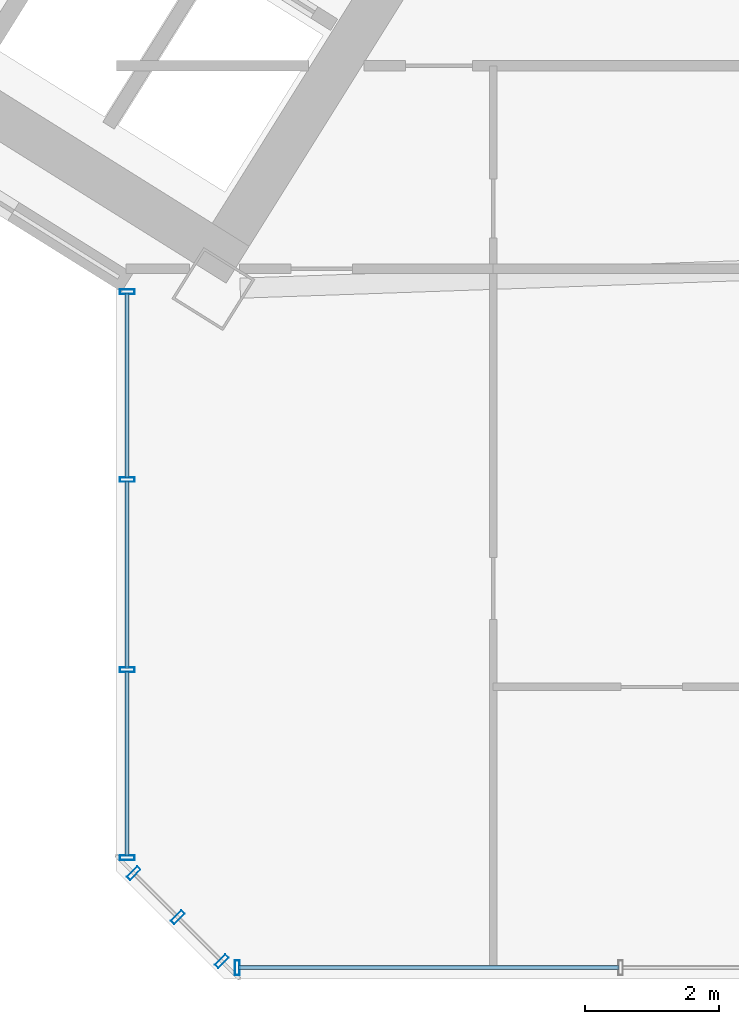
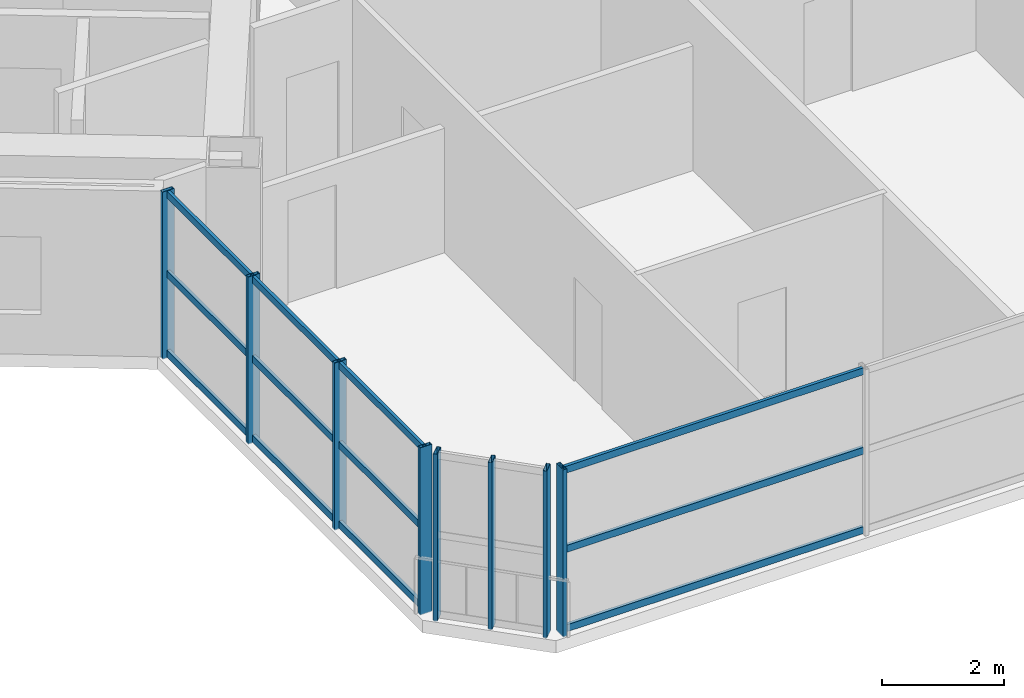
# One storey, part 4 of 22: 20 members, 3 elements without a shape of their own.
"""IFC4 building model written with IfcOpenShell, lengths in metres."""

from ifc_helpers import new_model, si_unit, direction, frame, origin, origin_2d, place, context, subcontext, project, spatial, hollow_rectangle, extrude, source, transform, mapped, material, material_profile, profile_set, type_object, element, aggregate, save


model = new_model("IFC4")

# Units and contexts
model_context = context("Model", 3, precision=1e-05, world=origin(), true_north=direction((0.0, 1.0)))
body_context = subcontext(model_context, "Body", "Model", "MODEL_VIEW")
ifc_project = project(units=[si_unit("LENGTHUNIT", "METRE"), si_unit("AREAUNIT", "SQUARE_METRE"), si_unit("VOLUMEUNIT", "CUBIC_METRE"), si_unit("PLANEANGLEUNIT", "RADIAN"), si_unit("MASSUNIT", "GRAM", prefix="KILO")], contexts=[model_context])

# Site, building, storey
site_placement = place(None, origin())
site = spatial("IfcSite", under=ifc_project, at=site_placement, CompositionType="ELEMENT")
building_placement = place(site_placement, origin())
building = spatial("IfcBuilding", under=site, at=building_placement, Name="Tlacorven Tower", CompositionType="ELEMENT")
storey_placement = place(building_placement, frame((0.0, 0.0, 97.199951171875)))
storey = spatial("IfcBuildingStorey", under=building, at=storey_placement, Name="L24", CompositionType="ELEMENT", Elevation=97.199951171875)

# Curtain wall, members
ifc_material_1 = material(Name="Dark solar low-E double glazing in aluminium frame", Category="aluminium")
curtain_wall_type = type_object("IfcCurtainWallType", Name="CW-TWR-LOW", PredefinedType="USERDEFINED", material=ifc_material_1)
curtain_wall_1_placement = place(storey_placement, origin())
curtain_wall_1 = element("IfcCurtainWall", 1, at=curtain_wall_1_placement, inside=storey, type_object=curtain_wall_type, Name="L24 CW-TWR-LOW Curtain Wall 124", ObjectType="UNITISED CURTAIN WALL", PredefinedType="USERDEFINED")
ifc_material_2 = material(Name="Aluminium 6063-T6 anodised", Category="aluminium")
ifc_material_profile_1 = material_profile(ifc_material_2, hollow_rectangle(XDim=0.06005859375, YDim=0.139892578125, WallThickness=0.00390625, at=origin_2d()), Name="ALU TRANSOM 60X140")
ifc_profile_set_1 = profile_set([ifc_material_profile_1], Name="Aluminium 6063-T6 anodised")
member_type_1 = type_object("IfcMemberType", Name="CWT-02", PredefinedType="USERDEFINED", material=ifc_profile_set_1)
shared_shape_1 = source(origin(), body_context, "Body", "SweptSolid", [
    extrude(hollow_rectangle(XDim=0.06005859375, YDim=0.139892578125, WallThickness=0.00390625, at=origin_2d()), origin(), (0.0, 0.0, 1.0), 5.6748046875),
])
member_1_placement = place(storey_placement, frame((39.09912109375, 1.9599609375, 0.070068359375), z_axis=(-1.0, 0.0, 0.0), x_axis=(0.0, -1.0, 0.0)))
member_1 = element("IfcMember", 2, at=member_1_placement, type_object=member_type_1, Name="CW-L24-124 Transom 7", ObjectType="TRANSOM", PredefinedType="USERDEFINED", context=body_context, shape_type="MappedRepresentation", body=[
    mapped(shared_shape_1, transform((0.0, 0.0, 0.0), scale=1.0)),
])
member_2_placement = place(storey_placement, frame((39.09912109375, 1.9599609375, 1.66015625), z_axis=(-1.0, 0.0, 0.0), x_axis=(0.0, -1.0, 0.0)))
member_2 = element("IfcMember", 3, at=member_2_placement, type_object=member_type_1, Name="CW-L24-124 Transom 8", ObjectType="TRANSOM", PredefinedType="USERDEFINED", context=body_context, shape_type="MappedRepresentation", body=[
    mapped(shared_shape_1, transform((0.0, 0.0, 0.0), scale=1.0)),
])
member_3_placement = place(storey_placement, frame((39.09912109375, 1.9599609375, 3.25), z_axis=(-1.0, 0.0, 0.0), x_axis=(0.0, -1.0, 0.0)))
member_3 = element("IfcMember", 4, at=member_3_placement, type_object=member_type_1, Name="CW-L24-124 Transom 9", ObjectType="TRANSOM", PredefinedType="USERDEFINED", context=body_context, shape_type="MappedRepresentation", body=[
    mapped(shared_shape_1, transform((0.0, 0.0, 0.0), scale=1.0)),
])

curtain_wall_2_placement = place(storey_placement, origin())
curtain_wall_2 = element("IfcCurtainWall", 5, at=curtain_wall_2_placement, inside=storey, type_object=curtain_wall_type, Name="L24 CW-TWR-LOW Curtain Wall 126", ObjectType="UNITISED CURTAIN WALL", PredefinedType="USERDEFINED")
shared_shape_2 = source(origin(), body_context, "Body", "SweptSolid", [
    extrude(hollow_rectangle(XDim=0.06005859375, YDim=0.139892578125, WallThickness=0.00390625, at=origin_2d()), origin(), (0.0, 0.0, 1.0), 2.7578125),
])
member_4_placement = place(storey_placement, frame((31.760009765625, 3.624267578125, 0.070068359375), z_axis=(0.0, 1.0, 0.0), x_axis=(-1.0, 0.0, 0.0)))
member_4 = element("IfcMember", 6, at=member_4_placement, type_object=member_type_1, Name="CW-L24-126 Transom 1", ObjectType="TRANSOM", PredefinedType="USERDEFINED", context=body_context, shape_type="MappedRepresentation", body=[
    mapped(shared_shape_2, transform((0.0, 0.0, 0.0), scale=1.0)),
])
member_5_placement = place(storey_placement, frame((31.760009765625, 3.624267578125, 1.66015625), z_axis=(0.0, 1.0, 0.0), x_axis=(-1.0, 0.0, 0.0)))
member_5 = element("IfcMember", 7, at=member_5_placement, type_object=member_type_1, Name="CW-L24-126 Transom 2", ObjectType="TRANSOM", PredefinedType="USERDEFINED", context=body_context, shape_type="MappedRepresentation", body=[
    mapped(shared_shape_2, transform((0.0, 0.0, 0.0), scale=1.0)),
])
member_6_placement = place(storey_placement, frame((31.760009765625, 3.624267578125, 3.25), z_axis=(0.0, 1.0, 0.0), x_axis=(-1.0, 0.0, 0.0)))
member_6 = element("IfcMember", 8, at=member_6_placement, type_object=member_type_1, Name="CW-L24-126 Transom 3", ObjectType="TRANSOM", PredefinedType="USERDEFINED", context=body_context, shape_type="MappedRepresentation", body=[
    mapped(shared_shape_2, transform((0.0, 0.0, 0.0), scale=1.0)),
])
shared_shape_3 = source(origin(), body_context, "Body", "SweptSolid", [
    extrude(hollow_rectangle(XDim=0.06005859375, YDim=0.139892578125, WallThickness=0.00390625, at=origin_2d()), origin(), (0.0, 0.0, 1.0), 2.79296875),
])
member_7_placement = place(storey_placement, frame((31.760009765625, 6.42822265625, 0.070068359375), z_axis=(0.0, 1.0, 0.0), x_axis=(-1.0, 0.0, 0.0)))
member_7 = element("IfcMember", 9, at=member_7_placement, type_object=member_type_1, Name="CW-L24-126 Transom 4", ObjectType="TRANSOM", PredefinedType="USERDEFINED", context=body_context, shape_type="MappedRepresentation", body=[
    mapped(shared_shape_3, transform((0.0, 0.0, 0.0), scale=1.0)),
])
member_8_placement = place(storey_placement, frame((31.760009765625, 6.42822265625, 1.66015625), z_axis=(0.0, 1.0, 0.0), x_axis=(-1.0, 0.0, 0.0)))
member_8 = element("IfcMember", 10, at=member_8_placement, type_object=member_type_1, Name="CW-L24-126 Transom 5", ObjectType="TRANSOM", PredefinedType="USERDEFINED", context=body_context, shape_type="MappedRepresentation", body=[
    mapped(shared_shape_3, transform((0.0, 0.0, 0.0), scale=1.0)),
])
member_9_placement = place(storey_placement, frame((31.760009765625, 6.42822265625, 3.25), z_axis=(0.0, 1.0, 0.0), x_axis=(-1.0, 0.0, 0.0)))
member_9 = element("IfcMember", 11, at=member_9_placement, type_object=member_type_1, Name="CW-L24-126 Transom 6", ObjectType="TRANSOM", PredefinedType="USERDEFINED", context=body_context, shape_type="MappedRepresentation", body=[
    mapped(shared_shape_3, transform((0.0, 0.0, 0.0), scale=1.0)),
])
shared_shape_4 = source(origin(), body_context, "Body", "SweptSolid", [
    extrude(hollow_rectangle(XDim=0.06005859375, YDim=0.139892578125, WallThickness=0.00390625, at=origin_2d()), origin(), (0.0, 0.0, 1.0), 2.758056640625),
])
member_10_placement = place(storey_placement, frame((31.760009765625, 9.26708984375, 0.070068359375), z_axis=(0.0, 1.0, 0.0), x_axis=(-1.0, 0.0, 0.0)))
member_10 = element("IfcMember", 12, at=member_10_placement, type_object=member_type_1, Name="CW-L24-126 Transom 7", ObjectType="TRANSOM", PredefinedType="USERDEFINED", context=body_context, shape_type="MappedRepresentation", body=[
    mapped(shared_shape_4, transform((0.0, 0.0, 0.0), scale=1.0)),
])
member_11_placement = place(storey_placement, frame((31.760009765625, 9.26708984375, 1.66015625), z_axis=(0.0, 1.0, 0.0), x_axis=(-1.0, 0.0, 0.0)))
member_11 = element("IfcMember", 13, at=member_11_placement, type_object=member_type_1, Name="CW-L24-126 Transom 8", ObjectType="TRANSOM", PredefinedType="USERDEFINED", context=body_context, shape_type="MappedRepresentation", body=[
    mapped(shared_shape_4, transform((0.0, 0.0, 0.0), scale=1.0)),
])
member_12_placement = place(storey_placement, frame((31.760009765625, 9.26708984375, 3.25), z_axis=(0.0, 1.0, 0.0), x_axis=(-1.0, 0.0, 0.0)))
member_12 = element("IfcMember", 14, at=member_12_placement, type_object=member_type_1, Name="CW-L24-126 Transom 9", ObjectType="TRANSOM", PredefinedType="USERDEFINED", context=body_context, shape_type="MappedRepresentation", body=[
    mapped(shared_shape_4, transform((0.0, 0.0, 0.0), scale=1.0)),
])

# Member
ifc_material_profile_2 = material_profile(ifc_material_2, hollow_rectangle(XDim=0.070068359375, YDim=0.219970703125, WallThickness=0.0048828125, at=origin_2d()), Name="ALU MULLION 70X220")
ifc_profile_set_2 = profile_set([ifc_material_profile_2], Name="Aluminium 6063-T6 anodised")
member_type_2 = type_object("IfcMemberType", Name="CWM-01", PredefinedType="MULLION", material=ifc_profile_set_2)
shared_shape_5 = source(origin(), body_context, "Body", "SweptSolid", [
    extrude(hollow_rectangle(XDim=0.070068359375, YDim=0.219970703125, WallThickness=0.0048828125, at=origin_2d()), origin(), (0.0, 0.0, 1.0), 3.35009765625),
])
member_13_placement = place(storey_placement, frame((33.4013671875, 1.9599609375, -0.02001953125), z_axis=(0.0, 0.0, 1.0), x_axis=(-1.0, 0.0, 0.0)))
member_13 = element("IfcMember", 15, at=member_13_placement, type_object=member_type_2, Name="CW-L24-124 Mullion 4", PredefinedType="MULLION", context=body_context, shape_type="MappedRepresentation", body=[
    mapped(shared_shape_5, transform((0.0, 0.0, 0.0), scale=1.0)),
])

aggregate(curtain_wall_1, [member_13, member_1, member_2, member_3])

# Curtain wall, members
curtain_wall_3_placement = place(storey_placement, origin())
curtain_wall_3 = element("IfcCurtainWall", 16, at=curtain_wall_3_placement, inside=storey, type_object=curtain_wall_type, Name="L24 CW-TWR-LOW Curtain Wall 125", ObjectType="UNITISED CURTAIN WALL", PredefinedType="USERDEFINED")
member_14_placement = place(storey_placement, frame((33.1708984375, 2.055419921875, -0.02001953125), z_axis=(0.0, 0.0, 1.0), x_axis=(-0.707106781187, 0.707106781187, 0.0)))
member_14 = element("IfcMember", 17, at=member_14_placement, type_object=member_type_2, Name="CW-L24-125 Mullion 1", PredefinedType="MULLION", context=body_context, shape_type="MappedRepresentation", body=[
    mapped(shared_shape_5, transform((0.0, 0.0, 0.0), scale=1.0)),
])
member_15_placement = place(storey_placement, frame((32.51318359375, 2.713134765625, -0.02001953125), z_axis=(0.0, 0.0, 1.0), x_axis=(-0.707106781187, 0.707106781187, 0.0)))
member_15 = element("IfcMember", 18, at=member_15_placement, type_object=member_type_2, Name="CW-L24-125 Mullion 2", PredefinedType="MULLION", context=body_context, shape_type="MappedRepresentation", body=[
    mapped(shared_shape_5, transform((0.0, 0.0, 0.0), scale=1.0)),
])
member_16_placement = place(storey_placement, frame((31.85546875, 3.370849609375, -0.02001953125), z_axis=(0.0, 0.0, 1.0), x_axis=(-0.707106781187, 0.707106781187, 0.0)))
member_16 = element("IfcMember", 19, at=member_16_placement, type_object=member_type_2, Name="CW-L24-125 Mullion 3", PredefinedType="MULLION", context=body_context, shape_type="MappedRepresentation", body=[
    mapped(shared_shape_5, transform((0.0, 0.0, 0.0), scale=1.0)),
])
aggregate(curtain_wall_3, [member_14, member_15, member_16])

# Member
member_17_placement = place(storey_placement, frame((31.760009765625, 3.601318359375, -0.02001953125), z_axis=(0.0, 0.0, 1.0), x_axis=(0.0, 1.0, 0.0)))
member_17 = element("IfcMember", 20, at=member_17_placement, type_object=member_type_2, Name="CW-L24-126 Mullion 1", PredefinedType="MULLION", context=body_context, shape_type="MappedRepresentation", body=[
    mapped(shared_shape_5, transform((0.0, 0.0, 0.0), scale=1.0)),
])

member_18_placement = place(storey_placement, frame((31.760009765625, 6.4052734375, -0.02001953125), z_axis=(0.0, 0.0, 1.0), x_axis=(0.0, 1.0, 0.0)))
member_18 = element("IfcMember", 21, at=member_18_placement, type_object=member_type_2, Name="CW-L24-126 Mullion 2", PredefinedType="MULLION", context=body_context, shape_type="MappedRepresentation", body=[
    mapped(shared_shape_5, transform((0.0, 0.0, 0.0), scale=1.0)),
])

member_19_placement = place(storey_placement, frame((31.760009765625, 9.244140625, -0.02001953125), z_axis=(0.0, 0.0, 1.0), x_axis=(0.0, 1.0, 0.0)))
member_19 = element("IfcMember", 22, at=member_19_placement, type_object=member_type_2, Name="CW-L24-126 Mullion 3", PredefinedType="MULLION", context=body_context, shape_type="MappedRepresentation", body=[
    mapped(shared_shape_5, transform((0.0, 0.0, 0.0), scale=1.0)),
])

member_20_placement = place(storey_placement, frame((31.760009765625, 12.048095703125, -0.02001953125), z_axis=(0.0, 0.0, 1.0), x_axis=(0.0, 1.0, 0.0)))
member_20 = element("IfcMember", 23, at=member_20_placement, type_object=member_type_2, Name="CW-L24-126 Mullion 4", PredefinedType="MULLION", context=body_context, shape_type="MappedRepresentation", body=[
    mapped(shared_shape_5, transform((0.0, 0.0, 0.0), scale=1.0)),
])

aggregate(curtain_wall_2, [member_17, member_18, member_19, member_20, member_4, member_5, member_6, member_7, member_8, member_9, member_10, member_11, member_12])

save(model, "model.ifc")
